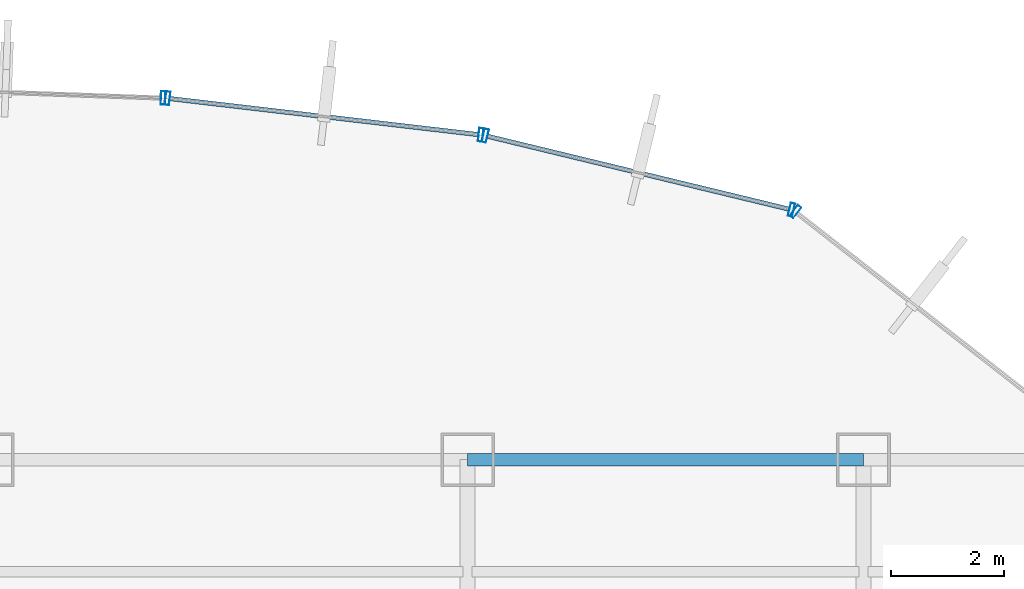
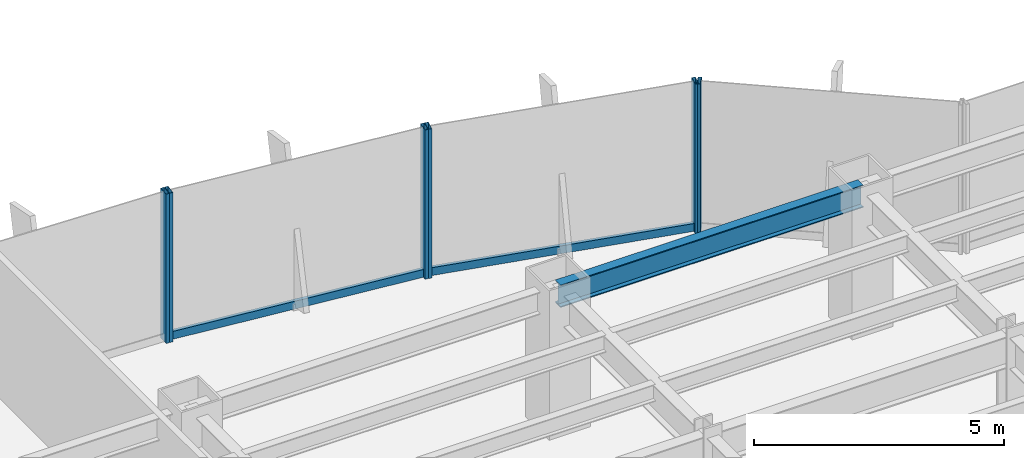
# One storey, part 14 of 22: 8 members, 1 beam, 4 elements without a shape of their own.
"""IFC4 building model written with IfcOpenShell, lengths in metres."""

from ifc_helpers import new_model, si_unit, derived_unit, direction, frame, origin, origin_2d, place, context, subcontext, project, spatial, hollow_rectangle, i_section, extrude, source, transform, mapped, material, material_profile, profile_set, type_object, element, aggregate, save


model = new_model("IFC4")

# Units and contexts
model_context = context("Model", 3, precision=1e-05, world=origin(), true_north=direction((0.0, 1.0)))
body_context = subcontext(model_context, "Body", "Model", "MODEL_VIEW")
ifc_project = project(units=[si_unit("LENGTHUNIT", "METRE"), si_unit("AREAUNIT", "SQUARE_METRE"), si_unit("VOLUMEUNIT", "CUBIC_METRE"), si_unit("PLANEANGLEUNIT", "RADIAN"), si_unit("MASSUNIT", "GRAM", prefix="KILO"), derived_unit("THERMALTRANSMITTANCEUNIT", [(si_unit("POWERUNIT", "WATT"), 1), (si_unit("LENGTHUNIT", "METRE"), -2), (si_unit("THERMODYNAMICTEMPERATUREUNIT", "KELVIN"), -1)])], contexts=[model_context])

# Site, building, storey
site_placement = place(None, origin())
site = spatial("IfcSite", under=ifc_project, at=site_placement, CompositionType="ELEMENT")
building_placement = place(site_placement, origin())
building = spatial("IfcBuilding", under=site, at=building_placement, Name="Skarnbrae Concourse Arena and Tower", CompositionType="ELEMENT")
storey_placement = place(building_placement, frame((0.0, 0.0, 36.14990234375)))
storey = spatial("IfcBuildingStorey", under=building, at=storey_placement, Name="L07", CompositionType="ELEMENT", Elevation=36.14990234375)

# Beam
ifc_material_1 = material(Name="Steel CSA G40.21 350W", Category="steel")
ifc_material_profile_1 = material_profile(ifc_material_1, i_section(OverallWidth=0.214111328125, OverallDepth=0.549072265625, WebThickness=0.0146484375, FlangeThickness=0.023681640625, at=origin_2d()), Name="W530X138")
ifc_profile_set_1 = profile_set([ifc_material_profile_1], Name="Steel CSA G40.21 350W")
beam_type = type_object("IfcBeamType", Name="BM-SPAN-W530X138", PredefinedType="SPANDREL", material=ifc_profile_set_1)
shared_shape_1 = source(origin(), body_context, "Body", "SweptSolid", [
    extrude(i_section(OverallWidth=0.214111328125, OverallDepth=0.549072265625, WebThickness=0.0146484375, FlangeThickness=0.023681640625, at=origin_2d()), origin(), (0.0, 0.0, 1.0), 7.0),
])
beam_placement = place(storey_placement, frame((42.0, 40.39990234375, 3.12548828125), z_axis=(1.0, 0.0, 0.0), x_axis=(0.0, 1.0, 0.0)))
element("IfcBeam", 1, at=beam_placement, inside=storey, type_object=beam_type, Name="L07 Perimeter spandrel Y40.4-6", PredefinedType="SPANDREL", context=body_context, shape_type="MappedRepresentation", body=[
    mapped(shared_shape_1, transform((0.0, 0.0, 0.0))),
])

# Curtain wall, member
ifc_material_2 = material(Name="Bronze anodised aluminium 6063-T6", Category="aluminium")
curtain_wall_type = type_object("IfcCurtainWallType", Name="CW-SYS-02-LOWZONE", PredefinedType="USERDEFINED", material=ifc_material_2)
curtain_wall_1_placement = place(storey_placement, origin())
curtain_wall_1 = element("IfcCurtainWall", 2, at=curtain_wall_1_placement, inside=storey, type_object=curtain_wall_type, Name="L07 Unitised curtain wall CW-L07-E09", ObjectType="UNITISED CURTAIN WALL", PredefinedType="USERDEFINED")
ifc_material_profile_2 = material_profile(ifc_material_2, hollow_rectangle(XDim=0.080078125, YDim=0.18994140625, WallThickness=0.0048828125, at=origin_2d()), Name="ALU-TRAN-80X190")
ifc_profile_set_2 = profile_set([ifc_material_profile_2], Name="Bronze anodised aluminium 6063-T6")
member_type_1 = type_object("IfcMemberType", Name="CWT-CW-02", PredefinedType="USERDEFINED", material=ifc_profile_set_2)
shared_shape_2 = source(origin(), body_context, "Body", "SweptSolid", [
    extrude(hollow_rectangle(XDim=0.080078125, YDim=0.18994140625, WallThickness=0.0048828125, at=origin_2d()), origin(), (0.0, 0.0, 1.0), 5.4921875),
])
member_1_placement = place(storey_placement, frame((47.6884765625, 44.83056640625, 0.09521484375), z_axis=(-0.971980728004, 0.235060554728, 0.0), x_axis=(-0.235060554728, -0.971980728004, 0.0)))
member_1 = element("IfcMember", 3, at=member_1_placement, type_object=member_type_1, Name="CW-L07-E09 Transom 1", ObjectType="TRANSOM", PredefinedType="USERDEFINED", context=body_context, shape_type="MappedRepresentation", body=[
    mapped(shared_shape_2, transform((0.0, 0.0, 0.0))),
])

curtain_wall_2_placement = place(storey_placement, origin())
curtain_wall_2 = element("IfcCurtainWall", 4, at=curtain_wall_2_placement, inside=storey, type_object=curtain_wall_type, Name="L07 Unitised curtain wall CW-L07-E10", ObjectType="UNITISED CURTAIN WALL", PredefinedType="USERDEFINED")
shared_shape_3 = source(origin(), body_context, "Body", "SweptSolid", [
    extrude(hollow_rectangle(XDim=0.080078125, YDim=0.18994140625, WallThickness=0.0048828125, at=origin_2d()), origin(), (0.0, 0.0, 1.0), 5.49658203125),
])
member_2_placement = place(storey_placement, frame((42.19287109375, 46.14990234375, 0.09521484375), z_axis=(-0.993247281455, 0.116016541417, 0.0), x_axis=(-0.116016541417, -0.993247281455, 0.0)))
member_2 = element("IfcMember", 5, at=member_2_placement, type_object=member_type_1, Name="CW-L07-E10 Transom 1", ObjectType="TRANSOM", PredefinedType="USERDEFINED", context=body_context, shape_type="MappedRepresentation", body=[
    mapped(shared_shape_3, transform((0.0, 0.0, 0.0))),
])

curtain_wall_3_placement = place(storey_placement, origin())
curtain_wall_3 = element("IfcCurtainWall", 6, at=curtain_wall_3_placement, inside=storey, type_object=curtain_wall_type, Name="L07 Unitised curtain wall CW-L07-E08", ObjectType="UNITISED CURTAIN WALL", PredefinedType="USERDEFINED")
ifc_material_profile_3 = material_profile(ifc_material_2, hollow_rectangle(XDim=0.080078125, YDim=0.239990234375, WallThickness=0.0048828125, at=origin_2d()), Name="ALU-MULL-80X240")
ifc_profile_set_3 = profile_set([ifc_material_profile_3], Name="Bronze anodised aluminium 6063-T6")
member_type_2 = type_object("IfcMemberType", Name="CWM-CW-02", PredefinedType="MULLION", material=ifc_profile_set_3)
shared_shape_4 = source(origin(), body_context, "Body", "SweptSolid", [
    extrude(hollow_rectangle(XDim=0.080078125, YDim=0.239990234375, WallThickness=0.0048828125, at=origin_2d()), origin(), (0.0, 0.0, 1.0), 3.650146484375),
])
member_3_placement = place(storey_placement, frame((47.7978515625, 44.787109375, 0.0), z_axis=(0.0, 0.0, 1.0), x_axis=(-0.787651726054, 0.616120733658, 0.0)))
member_3 = element("IfcMember", 7, at=member_3_placement, type_object=member_type_2, Name="CW-L07-E08 Mullion 2", PredefinedType="MULLION", context=body_context, shape_type="MappedRepresentation", body=[
    mapped(shared_shape_4, transform((0.0, 0.0, 0.0))),
])
aggregate(curtain_wall_3, [member_3])

# Member
member_4_placement = place(storey_placement, frame((47.727294921875, 44.821044921875, 0.0), z_axis=(0.0, 0.0, 1.0), x_axis=(-0.971973721569, 0.235089524607, 0.0)))
member_4 = element("IfcMember", 8, at=member_4_placement, type_object=member_type_2, Name="CW-L07-E09 Mullion 1", PredefinedType="MULLION", context=body_context, shape_type="MappedRepresentation", body=[
    mapped(shared_shape_4, transform((0.0, 0.0, 0.0))),
])

member_5_placement = place(storey_placement, frame((42.311279296875, 46.131103515625, 0.0), z_axis=(0.0, 0.0, 1.0), x_axis=(-0.971973721569, 0.235089524607, 0.0)))
member_5 = element("IfcMember", 9, at=member_5_placement, type_object=member_type_2, Name="CW-L07-E09 Mullion 2", PredefinedType="MULLION", context=body_context, shape_type="MappedRepresentation", body=[
    mapped(shared_shape_4, transform((0.0, 0.0, 0.0))),
])

aggregate(curtain_wall_1, [member_4, member_5, member_1])

member_6_placement = place(storey_placement, frame((42.232666015625, 46.14501953125, 0.0), z_axis=(0.0, 0.0, 1.0), x_axis=(-0.99324457001, 0.116039752435, 0.0)))
member_6 = element("IfcMember", 10, at=member_6_placement, type_object=member_type_2, Name="CW-L07-E10 Mullion 1", PredefinedType="MULLION", context=body_context, shape_type="MappedRepresentation", body=[
    mapped(shared_shape_4, transform((0.0, 0.0, 0.0))),
])

member_7_placement = place(storey_placement, frame((36.693603515625, 46.792236328125, 0.0), z_axis=(0.0, 0.0, 1.0), x_axis=(-0.99324457001, 0.116039752435, 0.0)))
member_7 = element("IfcMember", 11, at=member_7_placement, type_object=member_type_2, Name="CW-L07-E10 Mullion 2", PredefinedType="MULLION", context=body_context, shape_type="MappedRepresentation", body=[
    mapped(shared_shape_4, transform((0.0, 0.0, 0.0))),
])

aggregate(curtain_wall_2, [member_6, member_7, member_2])

# Curtain wall, member
curtain_wall_4_placement = place(storey_placement, origin())
curtain_wall_4 = element("IfcCurtainWall", 12, at=curtain_wall_4_placement, inside=storey, type_object=curtain_wall_type, Name="L07 Unitised curtain wall CW-L07-E11", ObjectType="UNITISED CURTAIN WALL", PredefinedType="USERDEFINED")
member_8_placement = place(storey_placement, frame((36.614013671875, 46.79833984375, 0.0), z_axis=(0.0, 0.0, 1.0), x_axis=(-0.999355425188, 0.035898943527, 0.0)))
member_8 = element("IfcMember", 13, at=member_8_placement, type_object=member_type_2, Name="CW-L07-E11 Mullion 1", PredefinedType="MULLION", context=body_context, shape_type="MappedRepresentation", body=[
    mapped(shared_shape_4, transform((0.0, 0.0, 0.0))),
])
aggregate(curtain_wall_4, [member_8])

save(model, "model.ifc")
